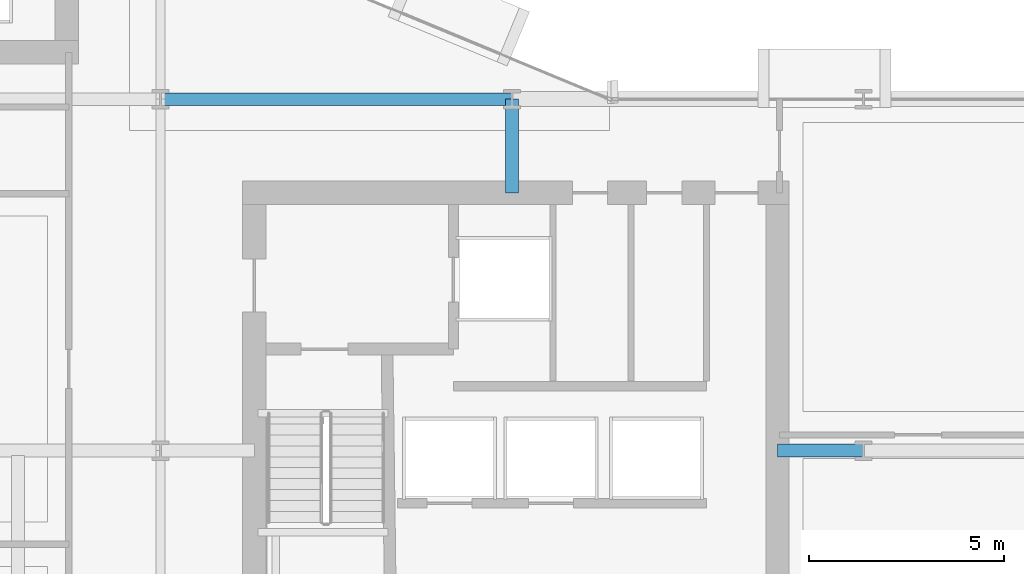
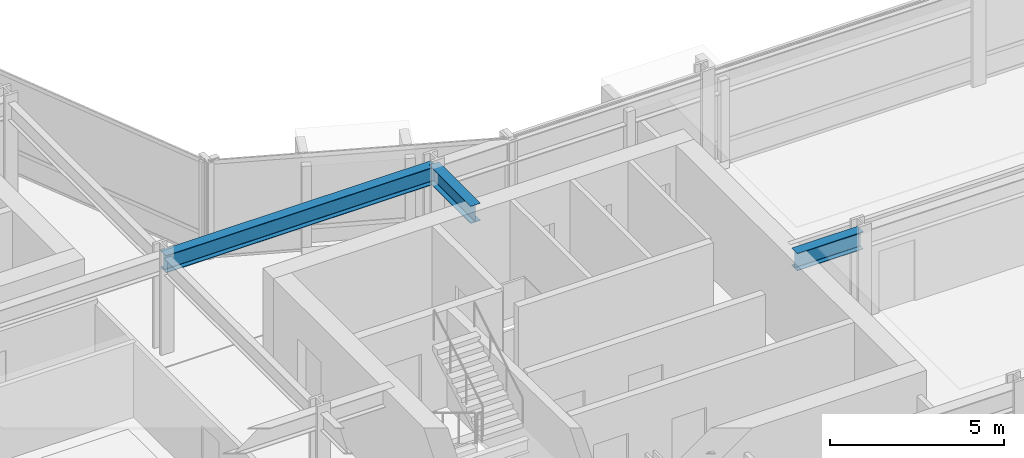
# One storey, part 14 of 34: 3 beams.
"""IFC4 building model written with IfcOpenShell, lengths in metres."""

from ifc_helpers import new_model, si_unit, direction, frame, origin, origin_2d, place, context, subcontext, project, spatial, i_section, extrude, material, material_profile, profile_set, type_object, element, save


model = new_model("IFC4")

# Units and contexts
model_context = context("Model", 3, precision=1e-05, world=origin(), true_north=direction((0.0, 1.0)))
body_context = subcontext(model_context, "Body", "Model", "MODEL_VIEW")
ifc_project = project(units=[si_unit("LENGTHUNIT", "METRE"), si_unit("AREAUNIT", "SQUARE_METRE"), si_unit("VOLUMEUNIT", "CUBIC_METRE"), si_unit("PLANEANGLEUNIT", "RADIAN"), si_unit("MASSUNIT", "GRAM", prefix="KILO")], contexts=[model_context])

# Site, building, storey
site_placement = place(None, origin())
site = spatial("IfcSite", under=ifc_project, at=site_placement, CompositionType="ELEMENT")
building_placement = place(site_placement, origin())
building = spatial("IfcBuilding", under=site, at=building_placement, Name="Solvaryn Broadcast Tower", CompositionType="ELEMENT")
storey_placement = place(building_placement, frame((0.0, 0.0, 65.60009765625)))
storey = spatial("IfcBuildingStorey", under=building, at=storey_placement, Name="L15", CompositionType="ELEMENT", Elevation=65.60009765625)

# Beams
ifc_material = material(Name="Steel ASTM A992 Grade 50", Category="steel")
ifc_material_profile = material_profile(ifc_material, i_section(OverallWidth=0.323974609375, OverallDepth=0.611083984375, WebThickness=0.0126953125, FlangeThickness=0.01904296875, FilletRadius=0.014892578125, at=origin_2d()))
ifc_profile_set = profile_set([ifc_material_profile], Name="Steel ASTM A992 Grade 50")
beam_type = type_object("IfcBeamType", Name="BM-B1-W24X104", PredefinedType="BEAM", material=ifc_profile_set)
beam_1_placement = place(storey_placement, frame((27.0, 27.0, 3.114501953125), z_axis=(1.0, 0.0, 0.0), x_axis=(0.0, 1.0, 0.0)))
element("IfcBeam", 1, at=beam_1_placement, inside=storey, type_object=beam_type, Name="L15 Primary Beam X (27-36 @ Y=27)", PredefinedType="BEAM", context=body_context, shape_type="SweptSolid", body=[
    extrude(i_section(OverallWidth=0.323974609375, OverallDepth=0.611083984375, WebThickness=0.0126953125, FlangeThickness=0.01904296875, FilletRadius=0.014892578125, at=origin_2d()), origin(), (0.0, 0.0, 1.0), 9.0),
])
beam_2_placement = place(storey_placement, frame((36.0, 24.60009765625, 3.114501953125), z_axis=(0.0, 1.0, 0.0), x_axis=(-1.0, 0.0, 0.0)))
element("IfcBeam", 2, at=beam_2_placement, inside=storey, type_object=beam_type, Name="L15 Core Tie Beam CTE2", PredefinedType="BEAM", context=body_context, shape_type="SweptSolid", body=[
    extrude(i_section(OverallWidth=0.323974609375, OverallDepth=0.611083984375, WebThickness=0.0126953125, FlangeThickness=0.01904296875, FilletRadius=0.014892578125, at=origin_2d()), origin(), (0.0, 0.0, 1.0), 2.39990234375),
])
beam_3_placement = place(storey_placement, frame((42.800048828125, 18.0, 3.114501953125), z_axis=(1.0, 0.0, 0.0), x_axis=(0.0, 1.0, 0.0)))
element("IfcBeam", 3, at=beam_3_placement, inside=storey, type_object=beam_type, Name="L15 Core Tie Beam CTE3", PredefinedType="BEAM", context=body_context, shape_type="SweptSolid", body=[
    extrude(i_section(OverallWidth=0.323974609375, OverallDepth=0.611083984375, WebThickness=0.0126953125, FlangeThickness=0.01904296875, FilletRadius=0.014892578125, at=origin_2d()), origin(), (0.0, 0.0, 1.0), 2.199951171875),
])

save(model, "model.ifc")
